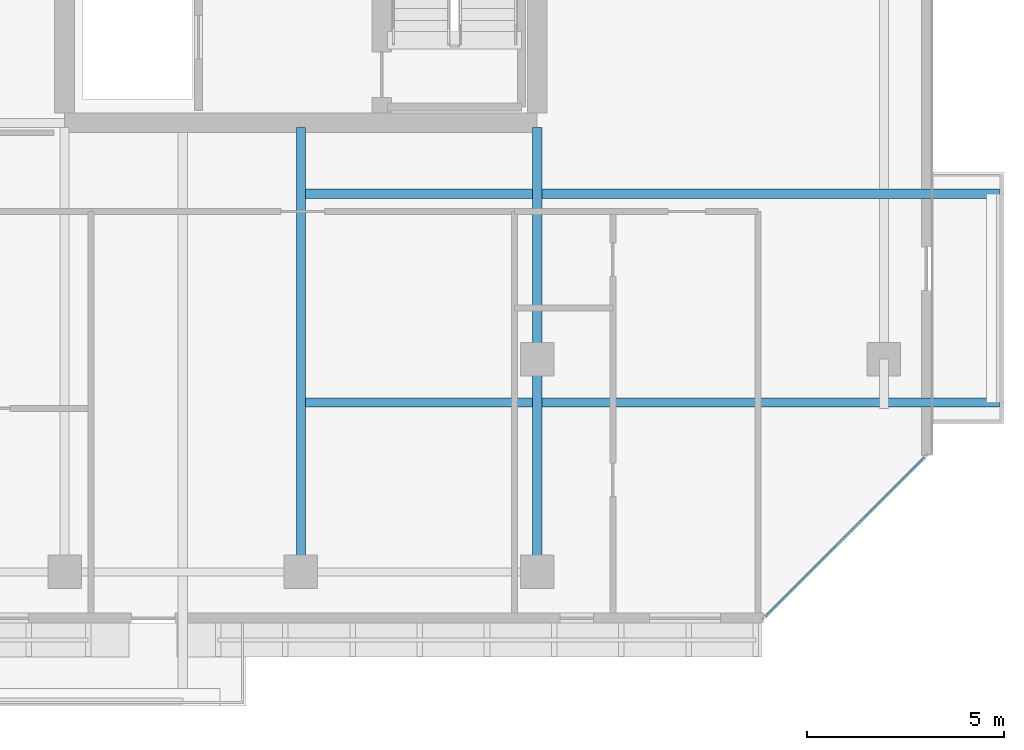
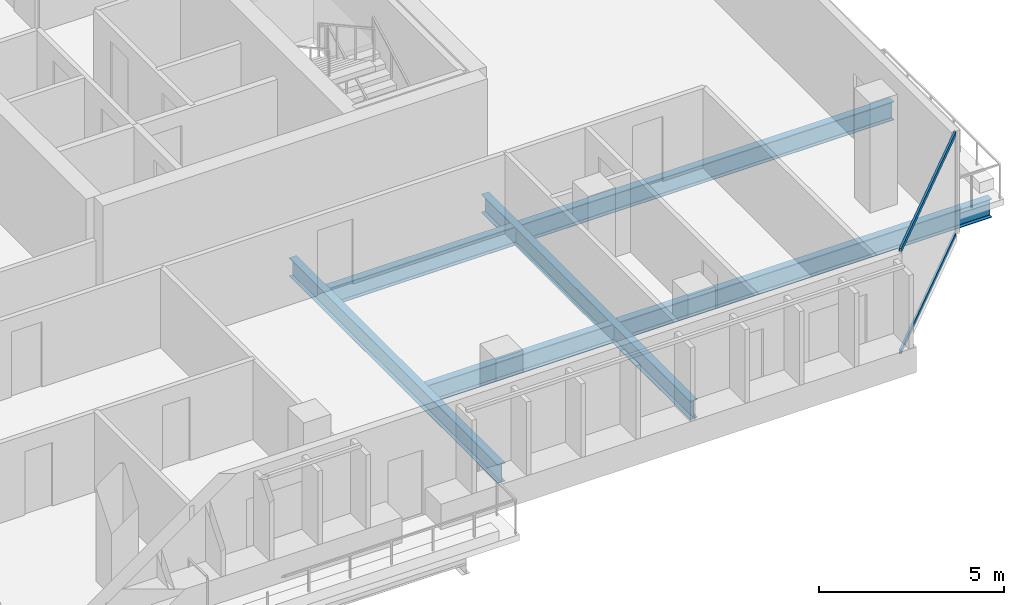
# One storey, part 14 of 30: 4 beams, 2 members, 1 element without a shape of its own.
"""IFC4 building model written with IfcOpenShell, lengths in metres."""

import ifcopenshell
import ifcopenshell.guid

model = None  # the IFC model being written
_history = None  # IfcOwnerHistory: only IFC2X3 demands one
_inside = {}  # id of a spatial element -> (the spatial element, [elements in it])
_under = {}  # id of a project, library or spatial element -> (it, [spatial elements below it])
_declared = {}  # id of a project -> (the project, [libraries it declares])
_typed = {}  # id of a type object -> (the type object, [elements of that type])
_made_of = {}  # id of a material, layer set ... -> (it, [elements and type objects made of it])


def new_model(schema):
    """Start an empty IFC model of exactly this schema.

    Asked for "IFC4X3", IfcOpenShell would pick the latest addendum, in which some entities
    have other attributes; the version numbers below select the first issue.
    IFC2X3 requires an IfcOwnerHistory on every rooted entity: one is made here for all.
    """
    global model, _history
    if schema == "IFC4X3":
        model = ifcopenshell.file(schema_version=(4, 3, 0, 0))
    else:
        model = ifcopenshell.file(schema=schema)
    _inside.clear()
    _under.clear()
    _declared.clear()
    _typed.clear()
    _made_of.clear()
    _history = None
    if model.schema == "IFC2X3":
        org = make("IfcOrganization", Name="unknown")
        user = make(
            "IfcPersonAndOrganization",
            ThePerson=make("IfcPerson", FamilyName="unknown"),
            TheOrganization=org,
        )
        app = make(
            "IfcApplication",
            ApplicationDeveloper=org,
            Version="unknown",
            ApplicationFullName="unknown",
            ApplicationIdentifier="unknown",
        )
        _history = make(
            "IfcOwnerHistory",
            OwningUser=user,
            OwningApplication=app,
            ChangeAction="ADDED",
            CreationDate=0,
        )
    return model


def make(cls, **values):
    """One entity of the class cls with the attributes given. An attribute that is None is left unset."""
    return model.create_entity(
        cls, **{name: value for name, value in values.items() if value is not None}
    )


def rooted(cls, **values):
    """An entity with a GlobalId (a new one), such as an element, a storey or a relation."""
    return make(cls, GlobalId=ifcopenshell.guid.new(), OwnerHistory=_history, **values)


def si_unit(unit_type, name, prefix=None):
    """IfcSIUnit, for example si_unit("LENGTHUNIT", "METRE", prefix="MILLI")."""
    return make("IfcSIUnit", UnitType=unit_type, Prefix=prefix, Name=name)


def assignment(units):
    """IfcUnitAssignment: the units of a project."""
    return None if units is None else make("IfcUnitAssignment", Units=units)


def point(xyz):
    """IfcCartesianPoint."""
    return None if xyz is None else make("IfcCartesianPoint", Coordinates=xyz)


def direction(xyz):
    """IfcDirection."""
    return None if xyz is None else make("IfcDirection", DirectionRatios=xyz)


def frame(location, z_axis=None, x_axis=None):
    """IfcAxis2Placement3D, a coordinate frame: its origin and axes. An axis left out is left unset."""
    return make(
        "IfcAxis2Placement3D",
        Location=point(location),
        Axis=direction(z_axis),
        RefDirection=direction(x_axis),
    )


def frame_2d(location, x_axis=None):
    """IfcAxis2Placement2D, a coordinate frame in the plane: its origin and x axis."""
    return make(
        "IfcAxis2Placement2D", Location=point(location), RefDirection=direction(x_axis)
    )


def origin():
    """The frame at (0, 0, 0) with its axes left unset."""
    return frame((0.0, 0.0, 0.0))


def origin_2d():
    """The frame at (0, 0) in the plane with its x axis left unset."""
    return frame_2d((0.0, 0.0))


def place(relative_to, where):
    """IfcLocalPlacement: puts the frame where relative to a parent placement (None: the world)."""
    return make(
        "IfcLocalPlacement", PlacementRelTo=relative_to, RelativePlacement=where
    )


def context(
    kind, dimensions, precision=None, world=None, true_north=None, identifier=None
):
    """IfcGeometricRepresentationContext, for example the 3D "Model" context."""
    return make(
        "IfcGeometricRepresentationContext",
        ContextIdentifier=identifier,
        ContextType=kind,
        CoordinateSpaceDimension=dimensions,
        Precision=precision,
        WorldCoordinateSystem=world,
        TrueNorth=true_north,
    )


def subcontext(parent, identifier, kind, view, scale=None):
    """IfcGeometricRepresentationSubContext, for example "Body" below "Model"."""
    return make(
        "IfcGeometricRepresentationSubContext",
        ContextIdentifier=identifier,
        ContextType=kind,
        ParentContext=parent,
        TargetScale=scale,
        TargetView=view,
    )


def project(units=None, contexts=None):
    """IfcProject with its units and contexts."""
    return rooted(
        "IfcProject",
        Name="project",
        RepresentationContexts=contexts,
        UnitsInContext=assignment(units),
    )


def spatial(cls, under=None, at=None, **own):
    """A site, building, storey or space (cls), placed at a placement, below another one or the project."""
    s = rooted(cls, ObjectPlacement=at, **own)
    if under is not None:
        _under.setdefault(under.id(), (under, []))[1].append(s)
    return s


def profile(cls, at=None, kind="AREA", **sizes):
    """A parametric profile (cls). Its sizes go by their IFC names, for example OverallWidth=200.0."""
    return make(cls, ProfileType=kind, Position=at, **sizes)


def hollow_rectangle(**sizes):
    """IfcRectangleHollowProfileDef."""
    return profile("IfcRectangleHollowProfileDef", **sizes)


def i_section(**sizes):
    """IfcIShapeProfileDef."""
    return profile("IfcIShapeProfileDef", **sizes)


def extrude(swept, where, along, depth):
    """IfcExtrudedAreaSolid: the profile swept, set in the frame where, extruded along a direction by depth."""
    return make(
        "IfcExtrudedAreaSolid",
        SweptArea=swept,
        Position=where,
        ExtrudedDirection=direction(along),
        Depth=depth,
    )


def shape(context_of_items, identifier, shape_type, items):
    """IfcShapeRepresentation: the items that make up one representation, for example the "Body"."""
    return make(
        "IfcShapeRepresentation",
        ContextOfItems=context_of_items,
        RepresentationIdentifier=identifier,
        RepresentationType=shape_type,
        Items=items,
    )


def material(Name=None, Category=None):
    """IfcMaterial."""
    return make("IfcMaterial", Name=Name, Category=Category)


def layer(
    of_material, thickness, ventilated=None, Name=None, Category=None, Priority=None
):
    """IfcMaterialLayer: one layer of a wall or slab, of a material (None: an air gap)."""
    return make(
        "IfcMaterialLayer",
        Material=of_material,
        LayerThickness=thickness,
        IsVentilated=ventilated,
        Name=Name,
        Category=Category,
        Priority=Priority,
    )


def layer_set(layers, Name=None):
    """IfcMaterialLayerSet."""
    return make("IfcMaterialLayerSet", MaterialLayers=layers, LayerSetName=Name)


def material_profile(
    of_material, cross_section, Name=None, Category=None, Priority=None
):
    """IfcMaterialProfile: a cross section and its material."""
    return make(
        "IfcMaterialProfile",
        Name=Name,
        Material=of_material,
        Profile=cross_section,
        Priority=Priority,
        Category=Category,
    )


def profile_set(profiles, Name=None, composite=None):
    """IfcMaterialProfileSet."""
    return make(
        "IfcMaterialProfileSet",
        Name=Name,
        MaterialProfiles=profiles,
        CompositeProfile=composite,
    )


def made_of(thing, what):
    """Note that an element or type object is made of a material, layer set ...; save() writes the relation."""
    if what is not None:
        _made_of.setdefault(what.id(), (what, []))[1].append(thing)
    return thing


def type_object(cls, material=None, **own):
    """A type object (cls), such as IfcWallType, which elements share."""
    return made_of(rooted(cls, **own), material)


def element(
    cls,
    number,
    at=None,
    inside=None,
    cuts=None,
    type_object=None,
    material=None,
    context=None,
    identifier="Body",
    shape_type=None,
    held_by="IfcProductDefinitionShape",
    body=None,
    shapes=None,
    **own,
):
    """One element of the class cls, such as IfcWall. Its Tag is "e" and its number.

    at: its placement. inside: the storey or other place that contains it. cuts: it is an
    opening in that element (IfcRelVoidsElement). A single representation is given by context,
    identifier, shape_type and body (its items); several are given by shapes. held_by: the class
    of the entity that holds the representations. save() writes the other relations.
    """
    e = rooted(cls, Tag="e%d" % number, ObjectPlacement=at, **own)
    if body is not None:
        shapes = [shape(context, identifier, shape_type, body)]
    if shapes is not None:
        e.Representation = make(held_by, Representations=shapes)
    if inside is not None:
        _inside.setdefault(inside.id(), (inside, []))[1].append(e)
    if cuts is not None:
        rooted(
            "IfcRelVoidsElement", RelatingBuildingElement=cuts, RelatedOpeningElement=e
        )
    if type_object is not None:
        _typed.setdefault(type_object.id(), (type_object, []))[1].append(e)
    return made_of(e, material)


def aggregate(whole, parts):
    """IfcRelAggregates: a whole, such as a stair, and the parts it consists of."""
    return rooted("IfcRelAggregates", RelatingObject=whole, RelatedObjects=parts)


def save(model, path):
    """Write the relations noted so far, then the file.

    IfcRelAggregates (storeys below a building ...), IfcRelContainedInSpatialStructure (elements
    in a storey), IfcRelDefinesByType, IfcRelAssociatesMaterial and IfcRelDeclares: one each for
    every whole, place, type object, material and project.
    """
    for whole, parts in _under.values():
        aggregate(whole, parts)
    for where, things in _inside.values():
        rooted(
            "IfcRelContainedInSpatialStructure",
            RelatedElements=things,
            RelatingStructure=where,
        )
    for kind, things in _typed.values():
        rooted("IfcRelDefinesByType", RelatedObjects=things, RelatingType=kind)
    for what, things in _made_of.values():
        rooted("IfcRelAssociatesMaterial", RelatedObjects=things, RelatingMaterial=what)
    for by, libraries in _declared.values():
        rooted("IfcRelDeclares", RelatingContext=by, RelatedDefinitions=libraries)
    model.write(path)


model = new_model("IFC4")

# Units and contexts
model_context = context("Model", 3, precision=1e-05, world=origin(), true_north=direction((0.0, 1.0)))
body_context = subcontext(model_context, "Body", "Model", "MODEL_VIEW")
ifc_project = project(units=[si_unit("LENGTHUNIT", "METRE"), si_unit("AREAUNIT", "SQUARE_METRE"), si_unit("VOLUMEUNIT", "CUBIC_METRE"), si_unit("PLANEANGLEUNIT", "RADIAN"), si_unit("MASSUNIT", "GRAM", prefix="KILO")], contexts=[model_context])

# Site, building, storey
site_placement = place(None, origin())
site = spatial("IfcSite", under=ifc_project, at=site_placement, CompositionType="ELEMENT")
building_placement = place(site_placement, origin())
building = spatial("IfcBuilding", under=site, at=building_placement, Name="Tanjung Sevakor Pilgrim Tower", CompositionType="ELEMENT")
storey_placement = place(building_placement, frame((0.0, 0.0, 165.659912109375)))
storey = spatial("IfcBuildingStorey", under=building, at=storey_placement, Name="L46", CompositionType="ELEMENT", Elevation=165.659912109375)

# Beams
ifc_material_1 = material(Name="Steel S355J2", Category="steel")
ifc_material_profile_1 = material_profile(ifc_material_1, i_section(OverallWidth=0.22900390625, OverallDepth=0.6123046875, WebThickness=0.011962890625, FlangeThickness=0.01953125, FilletRadius=0.0126953125, at=origin_2d()))
ifc_profile_set_1 = profile_set([ifc_material_profile_1], Name="Steel S355J2")
beam_type = type_object("IfcBeamType", Name="BM-B-G4-UB_610x229x125", PredefinedType="BEAM", material=ifc_profile_set_1)
for number, where, z_axis, x_axis, name in (
    (1, (84.0, 17.5, -0.526123046875), (1.0, 0.0, 0.0), (0.0, 1.0, 0.0), "L46 Balcony Overhanging Beam MAIN-E1-1"),
    (2, (84.0, 22.800048828125, -0.526123046875), (1.0, 0.0, 0.0), (0.0, 1.0, 0.0), "L46 Balcony Overhanging Beam MAIN-E1-2"),
):
    element("IfcBeam", number, at=place(storey_placement, frame(where, z_axis=z_axis, x_axis=x_axis)), inside=storey, type_object=beam_type, Name=name, PredefinedType="BEAM", context=body_context, shape_type="SweptSolid", body=[
        extrude(i_section(OverallWidth=0.22900390625, OverallDepth=0.6123046875, WebThickness=0.011962890625, FlangeThickness=0.01953125, FilletRadius=0.0126953125, at=origin_2d()), origin(), (0.0, 0.0, 1.0), 17.72998046875),
    ])
for number, where, z_axis, x_axis, name in (
    (3, (84.0, 13.199951171875, -0.526123046875), (0.0, 1.0, 0.0), (-1.0, 0.0, 0.0), "L46 MAIN Girder 023"),
    (4, (90.0, 13.199951171875, -0.526123046875), (0.0, 1.0, 0.0), (-1.0, 0.0, 0.0), "L46 MAIN Girder 025"),
):
    element("IfcBeam", number, at=place(storey_placement, frame(where, z_axis=z_axis, x_axis=x_axis)), inside=storey, type_object=beam_type, Name=name, PredefinedType="BEAM", context=body_context, shape_type="SweptSolid", body=[
        extrude(i_section(OverallWidth=0.22900390625, OverallDepth=0.6123046875, WebThickness=0.011962890625, FlangeThickness=0.01953125, FilletRadius=0.0126953125, at=origin_2d()), origin(), (0.0, 0.0, 1.0), 11.284912109375),
    ])

# Curtain wall, members
ifc_material_2 = material(Name="Aluminium 6063-T6 and Low-E Glass", Category="aluminium")
ifc_layer = layer(ifc_material_2, 0.179931640625)
ifc_layer_set = layer_set([ifc_layer], Name="CW-SYS-CHAM")
curtain_wall_type = type_object("IfcCurtainWallType", Name="CW-SYS-CHAM", PredefinedType="NOTDEFINED", material=ifc_layer_set)
curtain_wall_placement = place(storey_placement, origin())
curtain_wall = element("IfcCurtainWall", 5, at=curtain_wall_placement, inside=storey, type_object=curtain_wall_type, Name="L46 Curtain Wall CW-CHM-L46-MAIN-5", PredefinedType="NOTDEFINED")
ifc_material_3 = material(Name="Aluminium 6063-T6", Category="aluminium")
ifc_material_profile_2 = material_profile(ifc_material_3, hollow_rectangle(XDim=0.06494140625, YDim=0.139892578125, WallThickness=0.00390625, at=origin_2d()))
ifc_profile_set_2 = profile_set([ifc_material_profile_2], Name="Aluminium 6063-T6")
member_type = type_object("IfcMemberType", Name="TYPE-CWT-1", PredefinedType="USERDEFINED", material=ifc_profile_set_2)
member_1_placement = place(storey_placement, frame((95.794189453125, 12.071044921875, 0.032470703125), z_axis=(0.707106781187, 0.707106781187, 0.0), x_axis=(-0.707106781187, 0.707106781187, 0.0)))
member_1 = element("IfcMember", 6, at=member_1_placement, type_object=member_type, Name="CW-CHM transom 1.1", ObjectType="TRANSOM", PredefinedType="USERDEFINED", context=body_context, shape_type="SweptSolid", body=[
    extrude(hollow_rectangle(XDim=0.06494140625, YDim=0.139892578125, WallThickness=0.00390625, at=origin_2d()), origin(), (0.0, 0.0, 1.0), 5.706298828125),
])
member_2_placement = place(storey_placement, frame((95.794189453125, 12.071044921875, 3.377685546875), z_axis=(0.707106781187, 0.707106781187, 0.0), x_axis=(-0.707106781187, 0.707106781187, 0.0)))
member_2 = element("IfcMember", 7, at=member_2_placement, type_object=member_type, Name="CW-CHM transom 1.2", ObjectType="TRANSOM", PredefinedType="USERDEFINED", context=body_context, shape_type="SweptSolid", body=[
    extrude(hollow_rectangle(XDim=0.06494140625, YDim=0.139892578125, WallThickness=0.00390625, at=origin_2d()), origin(), (0.0, 0.0, 1.0), 5.706298828125),
])
aggregate(curtain_wall, [member_1, member_2])

save(model, "model.ifc")
